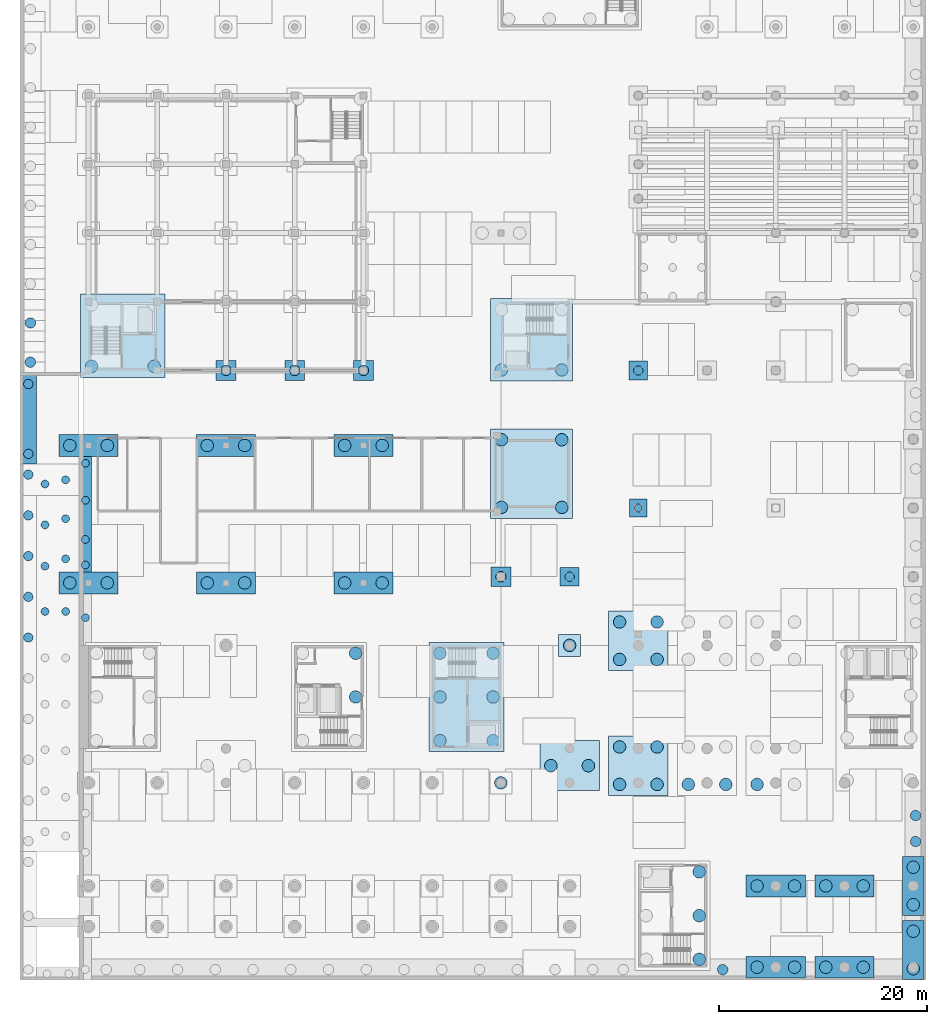
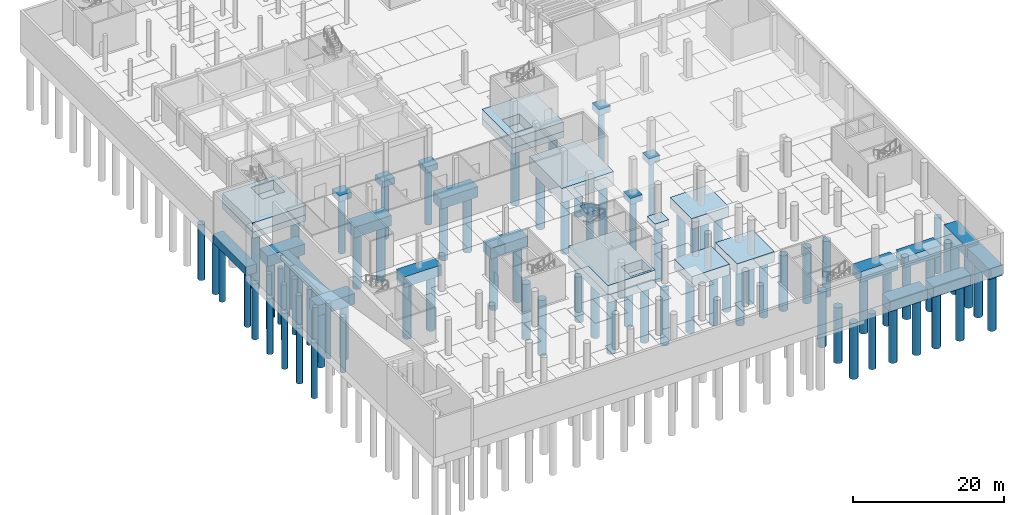
# One storey, part 2 of 38: 90 piles, 32 footings.
"""IFC4 building model written with IfcOpenShell, lengths in metres."""

import ifcopenshell
import ifcopenshell.guid

model = None  # the IFC model being written
_history = None  # IfcOwnerHistory: only IFC2X3 demands one
_inside = {}  # id of a spatial element -> (the spatial element, [elements in it])
_under = {}  # id of a project, library or spatial element -> (it, [spatial elements below it])
_declared = {}  # id of a project -> (the project, [libraries it declares])
_typed = {}  # id of a type object -> (the type object, [elements of that type])
_made_of = {}  # id of a material, layer set ... -> (it, [elements and type objects made of it])


def new_model(schema):
    """Start an empty IFC model of exactly this schema.

    Asked for "IFC4X3", IfcOpenShell would pick the latest addendum, in which some entities
    have other attributes; the version numbers below select the first issue.
    IFC2X3 requires an IfcOwnerHistory on every rooted entity: one is made here for all.
    """
    global model, _history
    if schema == "IFC4X3":
        model = ifcopenshell.file(schema_version=(4, 3, 0, 0))
    else:
        model = ifcopenshell.file(schema=schema)
    _inside.clear()
    _under.clear()
    _declared.clear()
    _typed.clear()
    _made_of.clear()
    _history = None
    if model.schema == "IFC2X3":
        org = make("IfcOrganization", Name="unknown")
        user = make(
            "IfcPersonAndOrganization",
            ThePerson=make("IfcPerson", FamilyName="unknown"),
            TheOrganization=org,
        )
        app = make(
            "IfcApplication",
            ApplicationDeveloper=org,
            Version="unknown",
            ApplicationFullName="unknown",
            ApplicationIdentifier="unknown",
        )
        _history = make(
            "IfcOwnerHistory",
            OwningUser=user,
            OwningApplication=app,
            ChangeAction="ADDED",
            CreationDate=0,
        )
    return model


def make(cls, **values):
    """One entity of the class cls with the attributes given. An attribute that is None is left unset."""
    return model.create_entity(
        cls, **{name: value for name, value in values.items() if value is not None}
    )


def rooted(cls, **values):
    """An entity with a GlobalId (a new one), such as an element, a storey or a relation."""
    return make(cls, GlobalId=ifcopenshell.guid.new(), OwnerHistory=_history, **values)


def si_unit(unit_type, name, prefix=None):
    """IfcSIUnit, for example si_unit("LENGTHUNIT", "METRE", prefix="MILLI")."""
    return make("IfcSIUnit", UnitType=unit_type, Prefix=prefix, Name=name)


def assignment(units):
    """IfcUnitAssignment: the units of a project."""
    return None if units is None else make("IfcUnitAssignment", Units=units)


def point(xyz):
    """IfcCartesianPoint."""
    return None if xyz is None else make("IfcCartesianPoint", Coordinates=xyz)


def direction(xyz):
    """IfcDirection."""
    return None if xyz is None else make("IfcDirection", DirectionRatios=xyz)


def frame(location, z_axis=None, x_axis=None):
    """IfcAxis2Placement3D, a coordinate frame: its origin and axes. An axis left out is left unset."""
    return make(
        "IfcAxis2Placement3D",
        Location=point(location),
        Axis=direction(z_axis),
        RefDirection=direction(x_axis),
    )


def frame_2d(location, x_axis=None):
    """IfcAxis2Placement2D, a coordinate frame in the plane: its origin and x axis."""
    return make(
        "IfcAxis2Placement2D", Location=point(location), RefDirection=direction(x_axis)
    )


def origin():
    """The frame at (0, 0, 0) with its axes left unset."""
    return frame((0.0, 0.0, 0.0))


def origin_2d():
    """The frame at (0, 0) in the plane with its x axis left unset."""
    return frame_2d((0.0, 0.0))


def place(relative_to, where):
    """IfcLocalPlacement: puts the frame where relative to a parent placement (None: the world)."""
    return make(
        "IfcLocalPlacement", PlacementRelTo=relative_to, RelativePlacement=where
    )


def context(
    kind, dimensions, precision=None, world=None, true_north=None, identifier=None
):
    """IfcGeometricRepresentationContext, for example the 3D "Model" context."""
    return make(
        "IfcGeometricRepresentationContext",
        ContextIdentifier=identifier,
        ContextType=kind,
        CoordinateSpaceDimension=dimensions,
        Precision=precision,
        WorldCoordinateSystem=world,
        TrueNorth=true_north,
    )


def subcontext(parent, identifier, kind, view, scale=None):
    """IfcGeometricRepresentationSubContext, for example "Body" below "Model"."""
    return make(
        "IfcGeometricRepresentationSubContext",
        ContextIdentifier=identifier,
        ContextType=kind,
        ParentContext=parent,
        TargetScale=scale,
        TargetView=view,
    )


def project(units=None, contexts=None):
    """IfcProject with its units and contexts."""
    return rooted(
        "IfcProject",
        Name="project",
        RepresentationContexts=contexts,
        UnitsInContext=assignment(units),
    )


def spatial(cls, under=None, at=None, **own):
    """A site, building, storey or space (cls), placed at a placement, below another one or the project."""
    s = rooted(cls, ObjectPlacement=at, **own)
    if under is not None:
        _under.setdefault(under.id(), (under, []))[1].append(s)
    return s


def polyline(points):
    """IfcPolyline through the points."""
    return make("IfcPolyline", Points=[point(p) for p in points])


def profile(cls, at=None, kind="AREA", **sizes):
    """A parametric profile (cls). Its sizes go by their IFC names, for example OverallWidth=200.0."""
    return make(cls, ProfileType=kind, Position=at, **sizes)


def circle(**sizes):
    """IfcCircleProfileDef."""
    return profile("IfcCircleProfileDef", **sizes)


def outline(outer, holes=None, kind="AREA"):
    """IfcArbitraryClosedProfileDef: a profile drawn as a closed curve; with holes, ...WithVoids."""
    if holes is None:
        return make("IfcArbitraryClosedProfileDef", ProfileType=kind, OuterCurve=outer)
    return make(
        "IfcArbitraryProfileDefWithVoids",
        ProfileType=kind,
        OuterCurve=outer,
        InnerCurves=holes,
    )


def extrude(swept, where, along, depth):
    """IfcExtrudedAreaSolid: the profile swept, set in the frame where, extruded along a direction by depth."""
    return make(
        "IfcExtrudedAreaSolid",
        SweptArea=swept,
        Position=where,
        ExtrudedDirection=direction(along),
        Depth=depth,
    )


def shape(context_of_items, identifier, shape_type, items):
    """IfcShapeRepresentation: the items that make up one representation, for example the "Body"."""
    return make(
        "IfcShapeRepresentation",
        ContextOfItems=context_of_items,
        RepresentationIdentifier=identifier,
        RepresentationType=shape_type,
        Items=items,
    )


def material(Name=None, Category=None):
    """IfcMaterial."""
    return make("IfcMaterial", Name=Name, Category=Category)


def material_profile(
    of_material, cross_section, Name=None, Category=None, Priority=None
):
    """IfcMaterialProfile: a cross section and its material."""
    return make(
        "IfcMaterialProfile",
        Name=Name,
        Material=of_material,
        Profile=cross_section,
        Priority=Priority,
        Category=Category,
    )


def profile_set(profiles, Name=None, composite=None):
    """IfcMaterialProfileSet."""
    return make(
        "IfcMaterialProfileSet",
        Name=Name,
        MaterialProfiles=profiles,
        CompositeProfile=composite,
    )


def made_of(thing, what):
    """Note that an element or type object is made of a material, layer set ...; save() writes the relation."""
    if what is not None:
        _made_of.setdefault(what.id(), (what, []))[1].append(thing)
    return thing


def type_object(cls, material=None, **own):
    """A type object (cls), such as IfcWallType, which elements share."""
    return made_of(rooted(cls, **own), material)


def element(
    cls,
    number,
    at=None,
    inside=None,
    cuts=None,
    type_object=None,
    material=None,
    context=None,
    identifier="Body",
    shape_type=None,
    held_by="IfcProductDefinitionShape",
    body=None,
    shapes=None,
    **own,
):
    """One element of the class cls, such as IfcWall. Its Tag is "e" and its number.

    at: its placement. inside: the storey or other place that contains it. cuts: it is an
    opening in that element (IfcRelVoidsElement). A single representation is given by context,
    identifier, shape_type and body (its items); several are given by shapes. held_by: the class
    of the entity that holds the representations. save() writes the other relations.
    """
    e = rooted(cls, Tag="e%d" % number, ObjectPlacement=at, **own)
    if body is not None:
        shapes = [shape(context, identifier, shape_type, body)]
    if shapes is not None:
        e.Representation = make(held_by, Representations=shapes)
    if inside is not None:
        _inside.setdefault(inside.id(), (inside, []))[1].append(e)
    if cuts is not None:
        rooted(
            "IfcRelVoidsElement", RelatingBuildingElement=cuts, RelatedOpeningElement=e
        )
    if type_object is not None:
        _typed.setdefault(type_object.id(), (type_object, []))[1].append(e)
    return made_of(e, material)


def aggregate(whole, parts):
    """IfcRelAggregates: a whole, such as a stair, and the parts it consists of."""
    return rooted("IfcRelAggregates", RelatingObject=whole, RelatedObjects=parts)


def save(model, path):
    """Write the relations noted so far, then the file.

    IfcRelAggregates (storeys below a building ...), IfcRelContainedInSpatialStructure (elements
    in a storey), IfcRelDefinesByType, IfcRelAssociatesMaterial and IfcRelDeclares: one each for
    every whole, place, type object, material and project.
    """
    for whole, parts in _under.values():
        aggregate(whole, parts)
    for where, things in _inside.values():
        rooted(
            "IfcRelContainedInSpatialStructure",
            RelatedElements=things,
            RelatingStructure=where,
        )
    for kind, things in _typed.values():
        rooted("IfcRelDefinesByType", RelatedObjects=things, RelatingType=kind)
    for what, things in _made_of.values():
        rooted("IfcRelAssociatesMaterial", RelatedObjects=things, RelatingMaterial=what)
    for by, libraries in _declared.values():
        rooted("IfcRelDeclares", RelatingContext=by, RelatedDefinitions=libraries)
    model.write(path)


model = new_model("IFC4")

# Units and contexts
model_context = context("Model", 3, precision=1e-05, world=origin(), true_north=direction((0.0, 1.0)))
body_context = subcontext(model_context, "Body", "Model", "MODEL_VIEW")
ifc_project = project(units=[si_unit("LENGTHUNIT", "METRE"), si_unit("AREAUNIT", "SQUARE_METRE"), si_unit("VOLUMEUNIT", "CUBIC_METRE"), si_unit("PLANEANGLEUNIT", "RADIAN"), si_unit("MASSUNIT", "GRAM", prefix="KILO")], contexts=[model_context])

# Site, building, storey
site_placement = place(None, origin())
site = spatial("IfcSite", under=ifc_project, at=site_placement, CompositionType="ELEMENT")
building_placement = place(site_placement, origin())
building = spatial("IfcBuilding", under=site, at=building_placement, Name="Lantern Court Research Institute", CompositionType="ELEMENT")
storey_placement = place(building_placement, frame((0.0, 0.0, -5.699951171875)))
storey = spatial("IfcBuildingStorey", under=building, at=storey_placement, Name="B1", CompositionType="ELEMENT", Elevation=-5.699951171875)

# Piles
ifc_material_1 = material(Name="Concrete C30/37", Category="concrete")
ifc_material_profile_1 = material_profile(ifc_material_1, circle(Radius=0.5, at=origin_2d()), Name="Bored pile D1000")
ifc_profile_set_1 = profile_set([ifc_material_profile_1], Name="Concrete C30/37")
pile_type_1 = type_object("IfcPileType", Name="Bored pile D1000", PredefinedType="BORED", material=ifc_profile_set_1)
for number, where, z_axis, x_axis, name in (
    (1, (39.60009765625, 29.699951171875, -0.900146484375), (0.0, 0.0, -1.0), (1.0, 0.0, 0.0), "Bored pile P103"),
    (2, (13.199951171875, 49.5, -0.900146484375), (0.0, 0.0, -1.0), (1.0, 0.0, 0.0), "Bored pile P128"),
    (3, (19.800048828125, 49.5, -0.900146484375), (0.0, 0.0, -1.0), (1.0, 0.0, 0.0), "Bored pile P129"),
    (4, (26.39990234375, 49.5, -0.900146484375), (0.0, 0.0, -1.0), (1.0, 0.0, 0.0), "Bored pile P130"),
    (5, (-5.580078125, 50.300048828125, -1.400146484375), (0.0, 0.0, -1.0), (1.0, 0.0, 0.0), "Bored pile P244"),
    (6, (-5.580078125, 54.06396484375, -1.400146484375), (0.0, 0.0, -1.0), (1.0, 0.0, 0.0), "Bored pile P245"),
    (7, (79.429931640625, 4.26611328125, -1.400146484375), (0.0, 0.0, -1.0), (1.0, 0.0, 0.0), "Bored pile P258"),
    (8, (79.429931640625, 6.763916015625, -1.400146484375), (0.0, 0.0, -1.0), (1.0, 0.0, 0.0), "Bored pile P259"),
    (9, (60.904052734375, -8.030029296875, -1.400146484375), (0.0, 0.0, -1.0), (1.0, 0.0, 0.0), "Bored pile P285"),
):
    element("IfcPile", number, at=place(storey_placement, frame(where, z_axis=z_axis, x_axis=x_axis)), inside=storey, type_object=pile_type_1, Name=name, PredefinedType="BORED", context=body_context, shape_type="SweptSolid", body=[
        extrude(circle(Radius=0.5, at=origin_2d()), origin(), (0.0, 0.0, 1.0), 9.0),
    ])
ifc_material_2 = material(Name="Concrete C30/37", Category="concrete")
ifc_material_profile_2 = material_profile(ifc_material_2, circle(Radius=0.60009765625, at=origin_2d()), Name="Bored pile D1200")
ifc_profile_set_2 = profile_set([ifc_material_profile_2], Name="Concrete C30/37")
pile_type_2 = type_object("IfcPileType", Name="Bored pile D1200", PredefinedType="BORED", material=ifc_profile_set_2)
for number, where, z_axis, x_axis, name in (
    (10, (79.199951171875, -7.949951171875, -1.60009765625), (0.0, 0.0, -1.0), (1.0, 0.0, 0.0), "Bored pile P1"),
    (11, (79.199951171875, -4.35009765625, -1.60009765625), (0.0, 0.0, -1.0), (1.0, 0.0, 0.0), "Bored pile P2"),
    (12, (64.199951171875, -7.800048828125, -1.60009765625), (0.0, 0.0, -1.0), (1.0, 0.0, 0.0), "Bored pile P3"),
    (13, (67.800048828125, -7.800048828125, -1.60009765625), (0.0, 0.0, -1.0), (1.0, 0.0, 0.0), "Bored pile P4"),
    (14, (70.800048828125, -7.800048828125, -1.60009765625), (0.0, 0.0, -1.0), (1.0, 0.0, 0.0), "Bored pile P5"),
    (15, (74.39990234375, -7.800048828125, -1.60009765625), (0.0, 0.0, -1.0), (1.0, 0.0, 0.0), "Bored pile P6"),
    (16, (58.64990234375, -7.050048828125, -2.699951171875), (0.0, 0.0, -1.0), (1.0, 0.0, 0.0), "Bored pile P8"),
    (17, (58.64990234375, -2.85009765625, -2.699951171875), (0.0, 0.0, -1.0), (1.0, 0.0, 0.0), "Bored pile P10"),
    (18, (58.64990234375, 1.35009765625, -2.699951171875), (0.0, 0.0, -1.0), (1.0, 0.0, 0.0), "Bored pile P12"),
    (19, (79.199951171875, -1.800048828125, -1.60009765625), (0.0, 0.0, -1.0), (1.0, 0.0, 0.0), "Bored pile P21"),
    (20, (79.199951171875, 1.800048828125, -1.60009765625), (0.0, 0.0, -1.0), (1.0, 0.0, 0.0), "Bored pile P22"),
    (21, (64.199951171875, 0.0, -1.60009765625), (0.0, 0.0, -1.0), (1.0, 0.0, 0.0), "Bored pile P31"),
    (22, (67.800048828125, 0.0, -1.60009765625), (0.0, 0.0, -1.0), (1.0, 0.0, 0.0), "Bored pile P32"),
    (23, (70.800048828125, 0.0, -1.60009765625), (0.0, 0.0, -1.0), (1.0, 0.0, 0.0), "Bored pile P33"),
    (24, (74.39990234375, 0.0, -1.60009765625), (0.0, 0.0, -1.0), (1.0, 0.0, 0.0), "Bored pile P34"),
    (25, (51.0, 9.75, -1.60009765625), (0.0, 0.0, -1.0), (1.0, 0.0, 0.0), "Bored pile P35"),
    (26, (54.60009765625, 9.75, -1.60009765625), (0.0, 0.0, -1.0), (1.0, 0.0, 0.0), "Bored pile P36"),
    (27, (51.0, 13.35009765625, -1.60009765625), (0.0, 0.0, -1.0), (1.0, 0.0, 0.0), "Bored pile P37"),
    (28, (54.60009765625, 13.35009765625, -1.60009765625), (0.0, 0.0, -1.0), (1.0, 0.0, 0.0), "Bored pile P38"),
    (29, (57.60009765625, 9.75, -1.60009765625), (0.0, 0.0, -1.0), (1.0, 0.0, 0.0), "Bored pile P39"),
    (30, (61.199951171875, 9.75, -1.60009765625), (0.0, 0.0, -1.0), (1.0, 0.0, 0.0), "Bored pile P40"),
    (31, (64.199951171875, 9.75, -1.60009765625), (0.0, 0.0, -1.0), (1.0, 0.0, 0.0), "Bored pile P43"),
    (32, (39.60009765625, 9.89990234375, -0.900146484375), (0.0, 0.0, -1.0), (1.0, 0.0, 0.0), "Bored pile P52"),
    (33, (44.39990234375, 11.550048828125, -1.60009765625), (0.0, 0.0, -1.0), (1.0, 0.0, 0.0), "Bored pile P63"),
    (34, (48.0, 11.550048828125, -1.60009765625), (0.0, 0.0, -1.0), (1.0, 0.0, 0.0), "Bored pile P64"),
    (35, (25.64990234375, 18.14990234375, -2.699951171875), (0.0, 0.0, -1.0), (1.0, 0.0, 0.0), "Bored pile P74"),
    (36, (25.64990234375, 22.35009765625, -2.699951171875), (0.0, 0.0, -1.0), (1.0, 0.0, 0.0), "Bored pile P76"),
    (37, (33.75, 13.949951171875, -2.699951171875), (0.0, 0.0, -1.0), (1.0, 0.0, 0.0), "Bored pile P77"),
    (38, (38.85009765625, 13.949951171875, -2.699951171875), (0.0, 0.0, -1.0), (1.0, 0.0, 0.0), "Bored pile P78"),
    (39, (33.75, 18.14990234375, -2.699951171875), (0.0, 0.0, -1.0), (1.0, 0.0, 0.0), "Bored pile P79"),
    (40, (38.85009765625, 18.14990234375, -2.699951171875), (0.0, 0.0, -1.0), (1.0, 0.0, 0.0), "Bored pile P80"),
    (41, (33.75, 22.35009765625, -2.699951171875), (0.0, 0.0, -1.0), (1.0, 0.0, 0.0), "Bored pile P81"),
    (42, (38.85009765625, 22.35009765625, -2.699951171875), (0.0, 0.0, -1.0), (1.0, 0.0, 0.0), "Bored pile P82"),
    (43, (51.0, 21.75, -1.60009765625), (0.0, 0.0, -1.0), (1.0, 0.0, 0.0), "Bored pile P83"),
    (44, (54.60009765625, 21.75, -1.60009765625), (0.0, 0.0, -1.0), (1.0, 0.0, 0.0), "Bored pile P84"),
    (45, (51.0, 25.35009765625, -1.60009765625), (0.0, 0.0, -1.0), (1.0, 0.0, 0.0), "Bored pile P85"),
    (46, (54.60009765625, 25.35009765625, -1.60009765625), (0.0, 0.0, -1.0), (1.0, 0.0, 0.0), "Bored pile P86"),
    (47, (46.199951171875, 23.10009765625, -0.900146484375), (0.0, 0.0, -1.0), (1.0, 0.0, 0.0), "Bored pile P96"),
    (48, (-1.800048828125, 29.10009765625, -1.60009765625), (0.0, 0.0, -1.0), (1.0, 0.0, 0.0), "Bored pile P97"),
    (49, (1.800048828125, 29.10009765625, -1.60009765625), (0.0, 0.0, -1.0), (1.0, 0.0, 0.0), "Bored pile P98"),
    (50, (11.39990234375, 29.10009765625, -1.60009765625), (0.0, 0.0, -1.0), (1.0, 0.0, 0.0), "Bored pile P99"),
    (51, (15.0, 29.10009765625, -1.60009765625), (0.0, 0.0, -1.0), (1.0, 0.0, 0.0), "Bored pile P100"),
    (52, (24.60009765625, 29.10009765625, -1.60009765625), (0.0, 0.0, -1.0), (1.0, 0.0, 0.0), "Bored pile P101"),
    (53, (28.199951171875, 29.10009765625, -1.60009765625), (0.0, 0.0, -1.0), (1.0, 0.0, 0.0), "Bored pile P102"),
    (54, (39.64990234375, 36.35009765625, -2.199951171875), (0.0, 0.0, -1.0), (1.0, 0.0, 0.0), "Bored pile P106"),
    (55, (45.449951171875, 36.35009765625, -2.199951171875), (0.0, 0.0, -1.0), (1.0, 0.0, 0.0), "Bored pile P107"),
    (56, (39.64990234375, 42.85009765625, -2.199951171875), (0.0, 0.0, -1.0), (1.0, 0.0, 0.0), "Bored pile P108"),
    (57, (45.449951171875, 42.85009765625, -2.199951171875), (0.0, 0.0, -1.0), (1.0, 0.0, 0.0), "Bored pile P109"),
    (58, (-1.800048828125, 42.300048828125, -1.60009765625), (0.0, 0.0, -1.0), (1.0, 0.0, 0.0), "Bored pile P113"),
    (59, (1.800048828125, 42.300048828125, -1.60009765625), (0.0, 0.0, -1.0), (1.0, 0.0, 0.0), "Bored pile P114"),
    (60, (11.39990234375, 42.300048828125, -1.60009765625), (0.0, 0.0, -1.0), (1.0, 0.0, 0.0), "Bored pile P115"),
    (61, (15.0, 42.300048828125, -1.60009765625), (0.0, 0.0, -1.0), (1.0, 0.0, 0.0), "Bored pile P116"),
    (62, (24.60009765625, 42.300048828125, -1.60009765625), (0.0, 0.0, -1.0), (1.0, 0.0, 0.0), "Bored pile P117"),
    (63, (28.199951171875, 42.300048828125, -1.60009765625), (0.0, 0.0, -1.0), (1.0, 0.0, 0.0), "Bored pile P118"),
    (64, (39.64990234375, 49.550048828125, -2.400146484375), (0.0, 0.0, -1.0), (1.0, 0.0, 0.0), "Bored pile P120"),
    (65, (45.449951171875, 49.550048828125, -2.400146484375), (0.0, 0.0, -1.0), (1.0, 0.0, 0.0), "Bored pile P121"),
    (66, (0.300048828125, 49.89990234375, -2.400146484375), (0.0, 0.0, -1.0), (1.0, 0.0, 0.0), "Bored pile P134"),
    (67, (6.300048828125, 49.89990234375, -2.400146484375), (0.0, 0.0, -1.0), (1.0, 0.0, 0.0), "Bored pile P135"),
):
    element("IfcPile", number, at=place(storey_placement, frame(where, z_axis=z_axis, x_axis=x_axis)), inside=storey, type_object=pile_type_2, Name=name, PredefinedType="BORED", context=body_context, shape_type="SweptSolid", body=[
        extrude(circle(Radius=0.60009765625, at=origin_2d()), origin(), (0.0, 0.0, 1.0), 9.0),
    ])
ifc_material_3 = material(Name="Concrete C30/37", Category="concrete")
ifc_material_profile_3 = material_profile(ifc_material_3, circle(Radius=0.375, at=origin_2d()), Name="Bored pile D750")
ifc_profile_set_3 = profile_set([ifc_material_profile_3], Name="Concrete C30/37")
pile_type_3 = type_object("IfcPileType", Name="Bored pile D750", PredefinedType="BORED", material=ifc_profile_set_3)
for number, where, z_axis, x_axis, name in (
    (68, (52.800048828125, 36.300048828125, -0.900146484375), (0.0, 0.0, -1.0), (1.0, 0.0, 0.0), "Bored pile P111"),
    (69, (-0.300048828125, 25.76806640625, -1.10009765625), (0.0, 0.0, -1.0), (1.0, 0.0, 0.0), "Bored pile P237"),
    (70, (-0.300048828125, 30.822998046875, -1.10009765625), (0.0, 0.0, -1.0), (1.0, 0.0, 0.0), "Bored pile P238"),
    (71, (-0.300048828125, 33.279052734375, -1.10009765625), (0.0, 0.0, -1.0), (1.0, 0.0, 0.0), "Bored pile P239"),
    (72, (-0.300048828125, 37.033935546875, -1.10009765625), (0.0, 0.0, -1.0), (1.0, 0.0, 0.0), "Bored pile P240"),
    (73, (-0.300048828125, 40.589111328125, -1.10009765625), (0.0, 0.0, -1.0), (1.0, 0.0, 0.0), "Bored pile P241"),
    (74, (-4.179931640625, 26.35693359375, 1.45703125), (0.0, 0.0, -1.0), (1.0, 0.0, 0.0), "Bored pile P-RB251"),
    (75, (-2.199951171875, 26.35693359375, 1.45703125), (0.0, 0.0, -1.0), (1.0, 0.0, 0.0), "Bored pile P-RB252"),
    (76, (-4.179931640625, 30.714111328125, 0.73095703125), (0.0, 0.0, -1.0), (1.0, 0.0, 0.0), "Bored pile P-RB261"),
    (77, (-2.199951171875, 31.4140625, 0.614013671875), (0.0, 0.0, -1.0), (1.0, 0.0, 0.0), "Bored pile P-RB262"),
    (78, (-4.179931640625, 34.6708984375, 0.071044921875), (0.0, 0.0, -1.0), (1.0, 0.0, 0.0), "Bored pile P-RB271"),
    (79, (-2.199951171875, 35.27099609375, -0.029052734375), (0.0, 0.0, -1.0), (1.0, 0.0, 0.0), "Bored pile P-RB272"),
    (80, (-4.179931640625, 38.60009765625, -0.592041015625), (0.0, 0.0, -1.0), (1.0, 0.0, 0.0), "Bored pile P-RB311"),
    (81, (-2.199951171875, 39.0, -0.625), (0.0, 0.0, -1.0), (1.0, 0.0, 0.0), "Bored pile P-RB312"),
):
    element("IfcPile", number, at=place(storey_placement, frame(where, z_axis=z_axis, x_axis=x_axis)), inside=storey, type_object=pile_type_3, Name=name, PredefinedType="BORED", context=body_context, shape_type="SweptSolid", body=[
        extrude(circle(Radius=0.375, at=origin_2d()), origin(), (0.0, 0.0, 1.0), 9.0),
    ])
ifc_material_4 = material(Name="Concrete C30/37", Category="concrete")
ifc_material_profile_4 = material_profile(ifc_material_4, circle(Radius=0.449951171875, at=origin_2d()), Name="Bored pile D900")
ifc_profile_set_4 = profile_set([ifc_material_profile_4], Name="Concrete C30/37")
pile_type_4 = type_object("IfcPileType", Name="Bored pile D900", PredefinedType="BORED", material=ifc_profile_set_4)
for number, where, z_axis, x_axis, name in (
    (82, (46.199951171875, 29.699951171875, -0.900146484375), (0.0, 0.0, -1.0), (1.0, 0.0, 0.0), "Bored pile P105"),
    (83, (52.800048828125, 49.5, -0.900146484375), (0.0, 0.0, -1.0), (1.0, 0.0, 0.0), "Bored pile P131"),
    (84, (-5.780029296875, 23.85595703125, -2.10009765625), (0.0, 0.0, -1.0), (1.0, 0.0, 0.0), "Bored pile P303"),
    (85, (-5.780029296875, 27.76708984375, -2.10009765625), (0.0, 0.0, -1.0), (1.0, 0.0, 0.0), "Bored pile P304"),
    (86, (-5.780029296875, 31.677978515625, -2.10009765625), (0.0, 0.0, -1.0), (1.0, 0.0, 0.0), "Bored pile P305"),
    (87, (-5.780029296875, 35.589111328125, -2.10009765625), (0.0, 0.0, -1.0), (1.0, 0.0, 0.0), "Bored pile P306"),
    (88, (-5.780029296875, 39.5, -2.10009765625), (0.0, 0.0, -1.0), (1.0, 0.0, 0.0), "Bored pile P307"),
    (89, (-5.780029296875, 41.5, -1.300048828125), (0.0, 0.0, -1.0), (1.0, 0.0, 0.0), "Bored pile P308"),
    (90, (-5.780029296875, 48.199951171875, -1.300048828125), (0.0, 0.0, -1.0), (1.0, 0.0, 0.0), "Bored pile P309"),
):
    element("IfcPile", number, at=place(storey_placement, frame(where, z_axis=z_axis, x_axis=x_axis)), inside=storey, type_object=pile_type_4, Name=name, PredefinedType="BORED", context=body_context, shape_type="SweptSolid", body=[
        extrude(circle(Radius=0.449951171875, at=origin_2d()), origin(), (0.0, 0.0, 1.0), 9.0),
    ])

# Footings
ifc_material_5 = material(Name="Concrete C30/37", Category="concrete")
footing_type_1 = type_object("IfcFootingType", Name="Pile cap 1700 x 1700 x 1000", PredefinedType="PILE_CAP", material=ifc_material_5)
footing_1_placement = place(storey_placement, frame((0.0, 0.0, -1.0)))
element("IfcFooting", 91, at=footing_1_placement, inside=storey, type_object=footing_type_1, Name="Pile cap PC52", PredefinedType="PILE_CAP", context=body_context, shape_type="SweptSolid", body=[
    extrude(outline(polyline([(51.949951171875, 35.449951171875), (53.64990234375, 35.449951171875), (53.64990234375, 37.14990234375), (51.949951171875, 37.14990234375), (51.949951171875, 35.449951171875)])), origin(), (0.0, 0.0, 1.0), 1.0),
])
ifc_material_6 = material(Name="Concrete C30/37", Category="concrete")
footing_type_2 = type_object("IfcFootingType", Name="Pile cap 1800 x 1800 x 1000", PredefinedType="PILE_CAP", material=ifc_material_6)
footing_2_placement = place(storey_placement, frame((0.0, 0.0, -1.0)))
element("IfcFooting", 92, at=footing_2_placement, inside=storey, type_object=footing_type_2, Name="Pile cap PC49", PredefinedType="PILE_CAP", context=body_context, shape_type="SweptSolid", body=[
    extrude(outline(polyline([(45.300048828125, 28.800048828125), (47.10009765625, 28.800048828125), (47.10009765625, 30.60009765625), (45.300048828125, 30.60009765625), (45.300048828125, 28.800048828125)])), origin(), (0.0, 0.0, 1.0), 1.0),
])
footing_3_placement = place(storey_placement, frame((0.0, 0.0, -1.0)))
element("IfcFooting", 93, at=footing_3_placement, inside=storey, type_object=footing_type_2, Name="Pile cap PC63", PredefinedType="PILE_CAP", context=body_context, shape_type="SweptSolid", body=[
    extrude(outline(polyline([(51.89990234375, 48.60009765625), (53.699951171875, 48.60009765625), (53.699951171875, 50.39990234375), (51.89990234375, 50.39990234375), (51.89990234375, 48.60009765625)])), origin(), (0.0, 0.0, 1.0), 1.0),
])
ifc_material_7 = material(Name="Concrete C30/37", Category="concrete")
footing_type_3 = type_object("IfcFootingType", Name="Pile cap 1900 x 1900 x 1000", PredefinedType="PILE_CAP", material=ifc_material_7)
footing_4_placement = place(storey_placement, frame((0.0, 0.0, -1.0)))
element("IfcFooting", 94, at=footing_4_placement, inside=storey, type_object=footing_type_3, Name="Pile cap PC47", PredefinedType="PILE_CAP", context=body_context, shape_type="SweptSolid", body=[
    extrude(outline(polyline([(38.64990234375, 28.75), (40.550048828125, 28.75), (40.550048828125, 30.64990234375), (38.64990234375, 30.64990234375), (38.64990234375, 28.75)])), origin(), (0.0, 0.0, 1.0), 1.0),
])
footing_5_placement = place(storey_placement, frame((0.0, 0.0, -1.0)))
element("IfcFooting", 95, at=footing_5_placement, inside=storey, type_object=footing_type_3, Name="Pile cap PC60", PredefinedType="PILE_CAP", context=body_context, shape_type="SweptSolid", body=[
    extrude(outline(polyline([(12.25, 48.550048828125), (14.14990234375, 48.550048828125), (14.14990234375, 50.449951171875), (12.25, 50.449951171875), (12.25, 48.550048828125)])), origin(), (0.0, 0.0, 1.0), 1.0),
])
footing_6_placement = place(storey_placement, frame((0.0, 0.0, -1.0)))
element("IfcFooting", 96, at=footing_6_placement, inside=storey, type_object=footing_type_3, Name="Pile cap PC61", PredefinedType="PILE_CAP", context=body_context, shape_type="SweptSolid", body=[
    extrude(outline(polyline([(18.85009765625, 48.550048828125), (20.75, 48.550048828125), (20.75, 50.449951171875), (18.85009765625, 50.449951171875), (18.85009765625, 48.550048828125)])), origin(), (0.0, 0.0, 1.0), 1.0),
])
footing_7_placement = place(storey_placement, frame((0.0, 0.0, -1.0)))
element("IfcFooting", 97, at=footing_7_placement, inside=storey, type_object=footing_type_3, Name="Pile cap PC62", PredefinedType="PILE_CAP", context=body_context, shape_type="SweptSolid", body=[
    extrude(outline(polyline([(25.449951171875, 48.550048828125), (27.35009765625, 48.550048828125), (27.35009765625, 50.449951171875), (25.449951171875, 50.449951171875), (25.449951171875, 48.550048828125)])), origin(), (0.0, 0.0, 1.0), 1.0),
])
ifc_material_8 = material(Name="Concrete C30/37", Category="concrete")
footing_type_4 = type_object("IfcFootingType", Name="Pile cap 2100 x 2100 x 1000", PredefinedType="PILE_CAP", material=ifc_material_8)
footing_8_placement = place(storey_placement, frame((0.0, 0.0, -1.0)))
element("IfcFooting", 98, at=footing_8_placement, inside=storey, type_object=footing_type_4, Name="Pile cap PC43", PredefinedType="PILE_CAP", context=body_context, shape_type="SweptSolid", body=[
    extrude(outline(polyline([(45.14990234375, 22.050048828125), (47.25, 22.050048828125), (47.25, 24.14990234375), (45.14990234375, 24.14990234375), (45.14990234375, 22.050048828125)])), origin(), (0.0, 0.0, 1.0), 1.0),
])
ifc_material_9 = material(Name="Concrete C30/37", Category="concrete")
footing_type_5 = type_object("IfcFootingType", Name="Pile cap 2100 x 5700 x 1700", PredefinedType="PILE_CAP", material=ifc_material_9)
footing_9_placement = place(storey_placement, frame((0.0, 0.0, -1.699951171875)))
element("IfcFooting", 99, at=footing_9_placement, inside=storey, type_object=footing_type_5, Name="Pile cap PC1", PredefinedType="PILE_CAP", context=body_context, shape_type="SweptSolid", body=[
    extrude(outline(polyline([(78.14990234375, -9.0), (80.25, -9.0), (80.25, -3.300048828125), (78.14990234375, -3.300048828125), (78.14990234375, -9.0)])), origin(), (0.0, 0.0, 1.0), 1.699951171875),
])
footing_10_placement = place(storey_placement, frame((0.0, 0.0, -1.699951171875)))
element("IfcFooting", 100, at=footing_10_placement, inside=storey, type_object=footing_type_5, Name="Pile cap PC13", PredefinedType="PILE_CAP", context=body_context, shape_type="SweptSolid", body=[
    extrude(outline(polyline([(78.14990234375, -2.85009765625), (80.25, -2.85009765625), (80.25, 2.85009765625), (78.14990234375, 2.85009765625), (78.14990234375, -2.85009765625)])), origin(), (0.0, 0.0, 1.0), 1.699951171875),
])
ifc_material_10 = material(Name="Concrete C30/37", Category="concrete")
footing_type_6 = type_object("IfcFootingType", Name="Pile cap 5700 x 2100 x 1700", PredefinedType="PILE_CAP", material=ifc_material_10)
footing_11_placement = place(storey_placement, frame((0.0, 0.0, -1.699951171875)))
element("IfcFooting", 101, at=footing_11_placement, inside=storey, type_object=footing_type_6, Name="Pile cap PC2", PredefinedType="PILE_CAP", context=body_context, shape_type="SweptSolid", body=[
    extrude(outline(polyline([(63.14990234375, -8.85009765625), (68.85009765625, -8.85009765625), (68.85009765625, -6.75), (63.14990234375, -6.75), (63.14990234375, -8.85009765625)])), origin(), (0.0, 0.0, 1.0), 1.699951171875),
])
footing_12_placement = place(storey_placement, frame((0.0, 0.0, -1.699951171875)))
element("IfcFooting", 102, at=footing_12_placement, inside=storey, type_object=footing_type_6, Name="Pile cap PC3", PredefinedType="PILE_CAP", context=body_context, shape_type="SweptSolid", body=[
    extrude(outline(polyline([(69.75, -8.85009765625), (75.449951171875, -8.85009765625), (75.449951171875, -6.75), (69.75, -6.75), (69.75, -8.85009765625)])), origin(), (0.0, 0.0, 1.0), 1.699951171875),
])
footing_13_placement = place(storey_placement, frame((0.0, 0.0, -1.699951171875)))
element("IfcFooting", 103, at=footing_13_placement, inside=storey, type_object=footing_type_6, Name="Pile cap PC22", PredefinedType="PILE_CAP", context=body_context, shape_type="SweptSolid", body=[
    extrude(outline(polyline([(63.14990234375, -1.050048828125), (68.85009765625, -1.050048828125), (68.85009765625, 1.050048828125), (63.14990234375, 1.050048828125), (63.14990234375, -1.050048828125)])), origin(), (0.0, 0.0, 1.0), 1.699951171875),
])
footing_14_placement = place(storey_placement, frame((0.0, 0.0, -1.699951171875)))
element("IfcFooting", 104, at=footing_14_placement, inside=storey, type_object=footing_type_6, Name="Pile cap PC23", PredefinedType="PILE_CAP", context=body_context, shape_type="SweptSolid", body=[
    extrude(outline(polyline([(69.75, -1.050048828125), (75.449951171875, -1.050048828125), (75.449951171875, 1.050048828125), (69.75, 1.050048828125), (69.75, -1.050048828125)])), origin(), (0.0, 0.0, 1.0), 1.699951171875),
])
footing_15_placement = place(storey_placement, frame((0.0, 0.0, -1.699951171875)))
element("IfcFooting", 105, at=footing_15_placement, inside=storey, type_object=footing_type_6, Name="Pile cap PC44", PredefinedType="PILE_CAP", context=body_context, shape_type="SweptSolid", body=[
    extrude(outline(polyline([(-2.85009765625, 28.050048828125), (2.85009765625, 28.050048828125), (2.85009765625, 30.14990234375), (-2.85009765625, 30.14990234375), (-2.85009765625, 28.050048828125)])), origin(), (0.0, 0.0, 1.0), 1.699951171875),
])
footing_16_placement = place(storey_placement, frame((0.0, 0.0, -1.699951171875)))
element("IfcFooting", 106, at=footing_16_placement, inside=storey, type_object=footing_type_6, Name="Pile cap PC45", PredefinedType="PILE_CAP", context=body_context, shape_type="SweptSolid", body=[
    extrude(outline(polyline([(10.35009765625, 28.050048828125), (16.050048828125, 28.050048828125), (16.050048828125, 30.14990234375), (10.35009765625, 30.14990234375), (10.35009765625, 28.050048828125)])), origin(), (0.0, 0.0, 1.0), 1.699951171875),
])
footing_17_placement = place(storey_placement, frame((0.0, 0.0, -1.699951171875)))
element("IfcFooting", 107, at=footing_17_placement, inside=storey, type_object=footing_type_6, Name="Pile cap PC46", PredefinedType="PILE_CAP", context=body_context, shape_type="SweptSolid", body=[
    extrude(outline(polyline([(23.550048828125, 28.050048828125), (29.25, 28.050048828125), (29.25, 30.14990234375), (23.550048828125, 30.14990234375), (23.550048828125, 28.050048828125)])), origin(), (0.0, 0.0, 1.0), 1.699951171875),
])
footing_18_placement = place(storey_placement, frame((0.0, 0.0, -1.699951171875)))
element("IfcFooting", 108, at=footing_18_placement, inside=storey, type_object=footing_type_6, Name="Pile cap PC54", PredefinedType="PILE_CAP", context=body_context, shape_type="SweptSolid", body=[
    extrude(outline(polyline([(-2.85009765625, 41.25), (2.85009765625, 41.25), (2.85009765625, 43.35009765625), (-2.85009765625, 43.35009765625), (-2.85009765625, 41.25)])), origin(), (0.0, 0.0, 1.0), 1.699951171875),
])
footing_19_placement = place(storey_placement, frame((0.0, 0.0, -1.699951171875)))
element("IfcFooting", 109, at=footing_19_placement, inside=storey, type_object=footing_type_6, Name="Pile cap PC55", PredefinedType="PILE_CAP", context=body_context, shape_type="SweptSolid", body=[
    extrude(outline(polyline([(10.35009765625, 41.25), (16.050048828125, 41.25), (16.050048828125, 43.35009765625), (10.35009765625, 43.35009765625), (10.35009765625, 41.25)])), origin(), (0.0, 0.0, 1.0), 1.699951171875),
])
footing_20_placement = place(storey_placement, frame((0.0, 0.0, -1.699951171875)))
element("IfcFooting", 110, at=footing_20_placement, inside=storey, type_object=footing_type_6, Name="Pile cap PC56", PredefinedType="PILE_CAP", context=body_context, shape_type="SweptSolid", body=[
    extrude(outline(polyline([(23.550048828125, 41.25), (29.25, 41.25), (29.25, 43.35009765625), (23.550048828125, 43.35009765625), (23.550048828125, 41.25)])), origin(), (0.0, 0.0, 1.0), 1.699951171875),
])
ifc_material_11 = material(Name="Concrete C30/37", Category="concrete")
footing_type_7 = type_object("IfcFootingType", Name="Pile cap 5700 x 4800 x 1700", PredefinedType="PILE_CAP", material=ifc_material_11)
footing_21_placement = place(storey_placement, frame((0.0, 0.0, -1.699951171875)))
element("IfcFooting", 111, at=footing_21_placement, inside=storey, type_object=footing_type_7, Name="Pile cap PC35", PredefinedType="PILE_CAP", context=body_context, shape_type="SweptSolid", body=[
    extrude(outline(polyline([(43.35009765625, 9.14990234375), (49.050048828125, 9.14990234375), (49.050048828125, 13.949951171875), (43.35009765625, 13.949951171875), (43.35009765625, 9.14990234375)])), origin(), (0.0, 0.0, 1.0), 1.699951171875),
])
ifc_material_12 = material(Name="Concrete C30/37", Category="concrete")
footing_type_8 = type_object("IfcFootingType", Name="Pile cap 5700 x 5700 x 1700", PredefinedType="PILE_CAP", material=ifc_material_12)
footing_22_placement = place(storey_placement, frame((0.0, 0.0, -1.699951171875)))
element("IfcFooting", 112, at=footing_22_placement, inside=storey, type_object=footing_type_8, Name="Pile cap PC24", PredefinedType="PILE_CAP", context=body_context, shape_type="SweptSolid", body=[
    extrude(outline(polyline([(49.949951171875, 8.699951171875), (55.64990234375, 8.699951171875), (55.64990234375, 14.39990234375), (49.949951171875, 14.39990234375), (49.949951171875, 8.699951171875)])), origin(), (0.0, 0.0, 1.0), 1.699951171875),
])
footing_23_placement = place(storey_placement, frame((0.0, 0.0, -1.699951171875)))
element("IfcFooting", 113, at=footing_23_placement, inside=storey, type_object=footing_type_8, Name="Pile cap PC39", PredefinedType="PILE_CAP", context=body_context, shape_type="SweptSolid", body=[
    extrude(outline(polyline([(49.949951171875, 20.699951171875), (55.64990234375, 20.699951171875), (55.64990234375, 26.39990234375), (49.949951171875, 26.39990234375), (49.949951171875, 20.699951171875)])), origin(), (0.0, 0.0, 1.0), 1.699951171875),
])
ifc_material_13 = material(Name="Concrete C30/37", Category="concrete")
footing_type_9 = type_object("IfcFootingType", Name="Pile cap 7900 x 8600 x 2300", PredefinedType="PILE_CAP", material=ifc_material_13)
footing_24_placement = place(storey_placement, frame((0.0, 0.0, -2.300048828125)))
element("IfcFooting", 114, at=footing_24_placement, inside=storey, type_object=footing_type_9, Name="Pile cap PC50", PredefinedType="PILE_CAP", context=body_context, shape_type="SweptSolid", body=[
    extrude(outline(polyline([(38.60009765625, 35.300048828125), (46.5, 35.300048828125), (46.5, 43.89990234375), (38.60009765625, 43.89990234375), (38.60009765625, 35.300048828125)])), origin(), (0.0, 0.0, 1.0), 2.300048828125),
])
ifc_material_14 = material(Name="Concrete C30/37", Category="concrete")
footing_type_10 = type_object("IfcFootingType", Name="Pile cap lower plate 7200 x 10500 x 1300", PredefinedType="PILE_CAP", material=ifc_material_14)
footing_25_placement = place(storey_placement, frame((0.0, 0.0, -2.800048828125)))
element("IfcFooting", 115, at=footing_25_placement, inside=storey, type_object=footing_type_10, Name="Pile cap PC38 lower plate", PredefinedType="PILE_CAP", context=body_context, shape_type="SweptSolid", body=[
    extrude(outline(polyline([(32.699951171875, 12.89990234375), (39.89990234375, 12.89990234375), (39.89990234375, 23.39990234375), (32.699951171875, 23.39990234375), (32.699951171875, 12.89990234375)])), origin(), (0.0, 0.0, 1.0), 1.300048828125),
])
ifc_material_15 = material(Name="Concrete C30/37", Category="concrete")
footing_type_11 = type_object("IfcFootingType", Name="Pile cap lower plate 7900 x 7900 x 1000", PredefinedType="PILE_CAP", material=ifc_material_15)
footing_26_placement = place(storey_placement, frame((0.0, 0.0, -2.5)))
element("IfcFooting", 116, at=footing_26_placement, inside=storey, type_object=footing_type_11, Name="Pile cap PC58 lower plate", PredefinedType="PILE_CAP", context=body_context, shape_type="SweptSolid", body=[
    extrude(outline(polyline([(38.60009765625, 48.5), (46.5, 48.5), (46.5, 56.39990234375), (38.60009765625, 56.39990234375), (38.60009765625, 48.5)])), origin(), (0.0, 0.0, 1.0), 1.0),
])
ifc_material_16 = material(Name="Concrete C30/37", Category="concrete")
footing_type_12 = type_object("IfcFootingType", Name="Pile cap lower plate 8100 x 8000 x 1000", PredefinedType="PILE_CAP", material=ifc_material_16)
footing_27_placement = place(storey_placement, frame((0.0, 0.0, -2.5)))
element("IfcFooting", 117, at=footing_27_placement, inside=storey, type_object=footing_type_12, Name="Pile cap PC66 lower plate", PredefinedType="PILE_CAP", context=body_context, shape_type="SweptSolid", body=[
    extrude(outline(polyline([(-0.75, 48.85009765625), (7.35009765625, 48.85009765625), (7.35009765625, 56.85009765625), (-0.75, 56.85009765625), (-0.75, 48.85009765625)])), origin(), (0.0, 0.0, 1.0), 1.0),
])
ifc_material_17 = material(Name="Concrete C30/37", Category="concrete")
footing_type_13 = type_object("IfcFootingType", Name="Pile cap upper ring 7200 x 10500 x 1500", PredefinedType="PILE_CAP", material=ifc_material_17)
footing_28_placement = place(storey_placement, frame((0.0, 0.0, -1.5)))
element("IfcFooting", 118, at=footing_28_placement, inside=storey, type_object=footing_type_13, Name="Pile cap PC38 upper ring", PredefinedType="PILE_CAP", context=body_context, shape_type="SweptSolid", body=[
    extrude(outline(polyline([(32.699951171875, 12.89990234375), (39.89990234375, 12.89990234375), (39.89990234375, 23.39990234375), (32.699951171875, 23.39990234375), (32.699951171875, 12.89990234375)]), holes=[polyline([(36.35009765625, 13.25), (39.550048828125, 13.25), (39.550048828125, 15.85009765625), (36.35009765625, 15.85009765625), (36.35009765625, 13.25)])]), origin(), (0.0, 0.0, 1.0), 1.5),
])
ifc_material_18 = material(Name="Concrete C30/37", Category="concrete")
footing_type_14 = type_object("IfcFootingType", Name="Pile cap upper ring 7900 x 7900 x 1500", PredefinedType="PILE_CAP", material=ifc_material_18)
footing_29_placement = place(storey_placement, frame((0.0, 0.0, -1.5)))
element("IfcFooting", 119, at=footing_29_placement, inside=storey, type_object=footing_type_14, Name="Pile cap PC58 upper ring", PredefinedType="PILE_CAP", context=body_context, shape_type="SweptSolid", body=[
    extrude(outline(polyline([(38.60009765625, 48.5), (46.5, 48.5), (46.5, 56.39990234375), (38.60009765625, 56.39990234375), (38.60009765625, 48.5)]), holes=[polyline([(39.64990234375, 49.550048828125), (42.35009765625, 49.550048828125), (42.35009765625, 53.0), (39.64990234375, 53.0), (39.64990234375, 49.550048828125)])]), origin(), (0.0, 0.0, 1.0), 1.5),
])
ifc_material_19 = material(Name="Concrete C30/37", Category="concrete")
footing_type_15 = type_object("IfcFootingType", Name="Pile cap upper ring 8100 x 8000 x 1500", PredefinedType="PILE_CAP", material=ifc_material_19)
footing_30_placement = place(storey_placement, frame((0.0, 0.0, -1.5)))
element("IfcFooting", 120, at=footing_30_placement, inside=storey, type_object=footing_type_15, Name="Pile cap PC66 upper ring", PredefinedType="PILE_CAP", context=body_context, shape_type="SweptSolid", body=[
    extrude(outline(polyline([(-0.75, 48.85009765625), (7.35009765625, 48.85009765625), (7.35009765625, 56.85009765625), (-0.75, 56.85009765625), (-0.75, 48.85009765625)]), holes=[polyline([(3.10009765625, 52.949951171875), (6.550048828125, 52.949951171875), (6.550048828125, 56.050048828125), (3.10009765625, 56.050048828125), (3.10009765625, 52.949951171875)])]), origin(), (0.0, 0.0, 1.0), 1.5),
])
ifc_material_20 = material(Name="Concrete C30/37", Category="concrete")
footing_type_16 = type_object("IfcFootingType", Name="Strip footing 1200 x 1200", PredefinedType="STRIP_FOOTING", material=ifc_material_20)
footing_31_placement = place(storey_placement, frame((0.0, 0.0, -1.199951171875)))
element("IfcFooting", 121, at=footing_31_placement, inside=storey, type_object=footing_type_16, Name="Strip footing F3", PredefinedType="STRIP_FOOTING", context=body_context, shape_type="SweptSolid", body=[
    extrude(outline(polyline([(-0.89990234375, 41.25), (0.300048828125, 41.25), (0.300048828125, 30.14990234375), (-0.89990234375, 30.14990234375), (-0.89990234375, 41.25)])), origin(), (0.0, 0.0, 1.0), 1.199951171875),
])
ifc_material_21 = material(Name="Concrete C30/37", Category="concrete")
footing_type_17 = type_object("IfcFootingType", Name="Strip footing 1600 x 1400", PredefinedType="STRIP_FOOTING", material=ifc_material_21)
footing_32_placement = place(storey_placement, frame((0.0, 0.0, -1.400146484375)))
element("IfcFooting", 122, at=footing_32_placement, inside=storey, type_object=footing_type_17, Name="Strip footing F11", PredefinedType="STRIP_FOOTING", context=body_context, shape_type="SweptSolid", body=[
    extrude(outline(polyline([(-4.97998046875, 40.5), (-6.580078125, 40.5), (-6.580078125, 49.300048828125), (-4.97998046875, 49.300048828125), (-4.97998046875, 40.5)])), origin(), (0.0, 0.0, 1.0), 1.400146484375),
])

save(model, "model.ifc")
